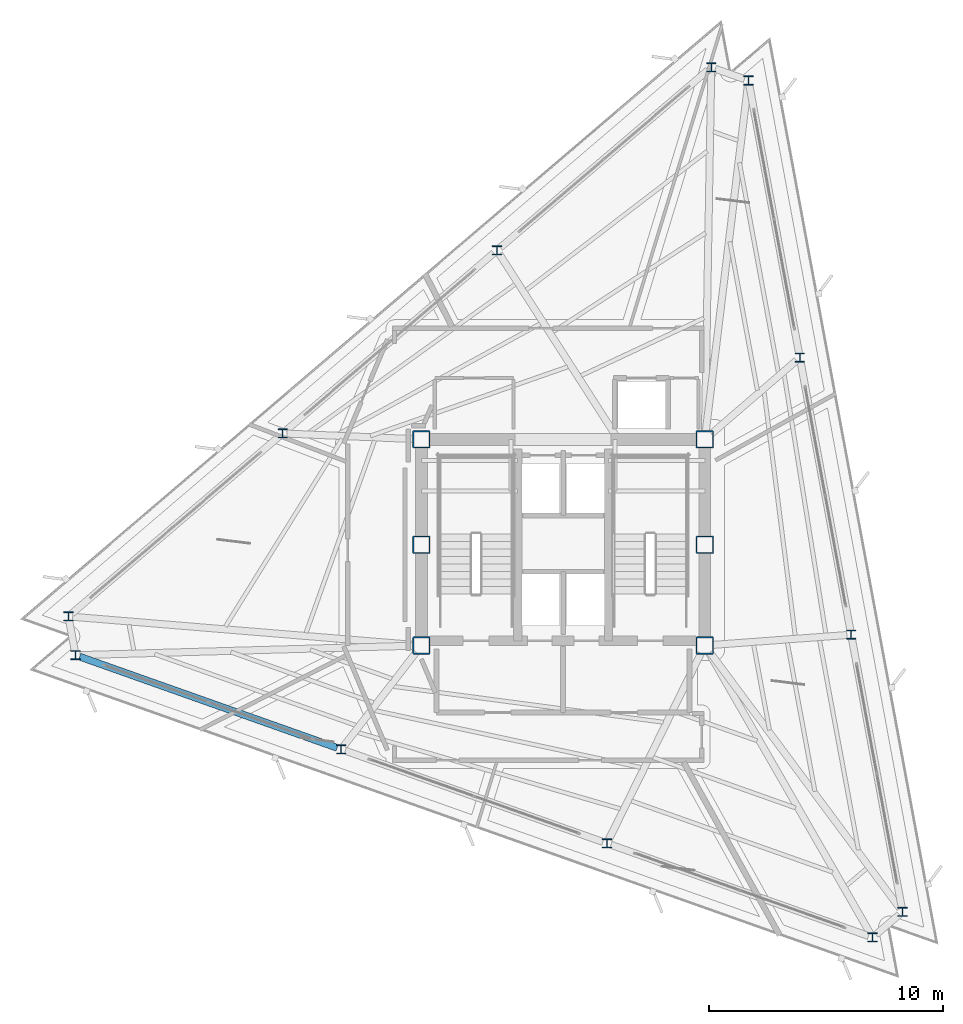
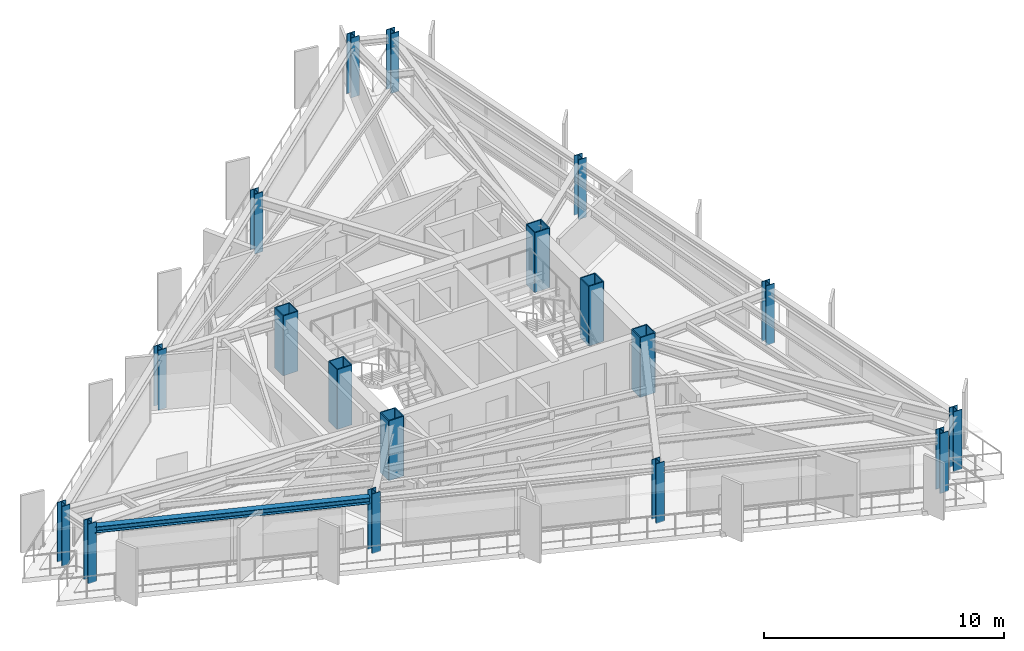
# One storey, part 1 of 14: 18 columns, 1 beam.
"""IFC4 building model written with IfcOpenShell, lengths in metres."""

from ifc_helpers import new_model, si_unit, direction, frame, origin, origin_2d, place, context, subcontext, project, spatial, hollow_rectangle, i_section, extrude, material, material_profile, profile_set, type_object, element, save


model = new_model("IFC4")

# Units and contexts
model_context = context("Model", 3, precision=1e-05, world=origin(), true_north=direction((0.0, 1.0)))
body_context = subcontext(model_context, "Body", "Model", "MODEL_VIEW")
ifc_project = project(units=[si_unit("LENGTHUNIT", "METRE"), si_unit("AREAUNIT", "SQUARE_METRE"), si_unit("VOLUMEUNIT", "CUBIC_METRE"), si_unit("PLANEANGLEUNIT", "RADIAN"), si_unit("MASSUNIT", "GRAM", prefix="KILO")], contexts=[model_context])

# Site, building, storey
site_placement = place(None, origin())
site = spatial("IfcSite", under=ifc_project, at=site_placement, CompositionType="ELEMENT")
building_placement = place(site_placement, origin())
building = spatial("IfcBuilding", under=site, at=building_placement, Name="Rocaltana Carrier Exchange", CompositionType="ELEMENT")
storey_placement = place(building_placement, frame((0.0, 0.0, 178.39990234375)))
storey = spatial("IfcBuildingStorey", under=building, at=storey_placement, Name="L56", CompositionType="ELEMENT", Elevation=178.39990234375)

# Columns
ifc_material_1 = material(Name="Steel S460", Category="steel")
ifc_material_profile_1 = material_profile(ifc_material_1, hollow_rectangle(XDim=0.75, YDim=0.75, WallThickness=0.050048828125, InnerFilletRadius=0.02001953125, OuterFilletRadius=0.0400390625, at=origin_2d()), Name="BOX750X750X50")
ifc_profile_set_1 = profile_set([ifc_material_profile_1], Name="Steel S460")
column_type_1 = type_object("IfcColumnType", Name="Core Mega-Column BOX750", PredefinedType="COLUMN", material=ifc_profile_set_1)
for number, where, z_axis, x_axis, name in (
    (1, (-6.050048828125, 4.5, 0.0), (0.0, 0.0, 1.0), (1.0, 0.0, 0.0), "L56 Core Mega-Column MC1"),
    (2, (6.050048828125, 4.5, 0.0), (0.0, 0.0, 1.0), (1.0, 0.0, 0.0), "L56 Core Mega-Column MC2"),
    (3, (-6.050048828125, 0.0, 0.0), (0.0, 0.0, 1.0), (1.0, 0.0, 0.0), "L56 Core Mega-Column MC3"),
    (4, (6.050048828125, 0.0, 0.0), (0.0, 0.0, 1.0), (1.0, 0.0, 0.0), "L56 Core Mega-Column MC4"),
    (5, (-6.050048828125, -4.300048828125, 0.0), (0.0, 0.0, 1.0), (1.0, 0.0, 0.0), "L56 Core Mega-Column MC5"),
    (6, (6.050048828125, -4.300048828125, 0.0), (0.0, 0.0, 1.0), (1.0, 0.0, 0.0), "L56 Core Mega-Column MC6"),
):
    element("IfcColumn", number, at=place(storey_placement, frame(where, z_axis=z_axis, x_axis=x_axis)), inside=storey, type_object=column_type_1, Name=name, PredefinedType="COLUMN", context=body_context, shape_type="SweptSolid", body=[
        extrude(hollow_rectangle(XDim=0.75, YDim=0.75, WallThickness=0.050048828125, InnerFilletRadius=0.02001953125, OuterFilletRadius=0.0400390625, at=origin_2d()), origin(), (0.0, 0.0, 1.0), 3.0400390625),
    ])
ifc_material_2 = material(Name="Steel S355", Category="steel")
ifc_material_profile_2 = material_profile(ifc_material_2, i_section(OverallWidth=0.39794921875, OverallDepth=0.386962890625, WebThickness=0.02099609375, FlangeThickness=0.033203125, FilletRadius=0.01806640625, at=origin_2d()), Name="W14X176")
ifc_profile_set_2 = profile_set([ifc_material_profile_2], Name="Steel S355")
column_type_2 = type_object("IfcColumnType", Name="Perimeter Column W14X176", PredefinedType="COLUMN", material=ifc_profile_set_2)
for number, where, z_axis, x_axis, name in (
    (7, (14.492431640625, -15.67138671875, 0.0), (0.0, 0.0, 1.0), (1.0, 0.0, 0.0), "L56 Perimeter Column TC01"),
    (8, (12.299560546875, -3.839599609375, 0.0), (0.0, 0.0, 1.0), (1.0, 0.0, 0.0), "L56 Perimeter Column TC02"),
    (9, (10.106689453125, 7.9921875, 0.0), (0.0, 0.0, 1.0), (1.0, 0.0, 0.0), "L56 Perimeter Column TC03"),
    (10, (7.913818359375, 19.82421875, 0.0), (0.0, 0.0, 1.0), (1.0, 0.0, 0.0), "L56 Perimeter Column TC04"),
    (11, (6.325439453125, 20.38671875, 0.0), (0.0, 0.0, 1.0), (1.0, 0.0, 0.0), "L56 Perimeter Column TC05"),
    (12, (-2.82470703125, 12.571533203125, 0.0), (0.0, 0.0, 1.0), (1.0, 0.0, 0.0), "L56 Perimeter Column TC06"),
    (13, (-11.974853515625, 4.756591796875, 0.0), (0.0, 0.0, 1.0), (1.0, 0.0, 0.0), "L56 Perimeter Column TC07"),
    (14, (-21.125, -3.05859375, 0.0), (0.0, 0.0, 1.0), (1.0, 0.0, 0.0), "L56 Perimeter Column TC08"),
    (15, (-20.818115234375, -4.715087890625, 0.0), (0.0, 0.0, 1.0), (1.0, 0.0, 0.0), "L56 Perimeter Column TC09"),
    (16, (-9.474853515625, -8.73193359375, 0.0), (0.0, 0.0, 1.0), (1.0, 0.0, 0.0), "L56 Perimeter Column TC10"),
    (17, (1.8681640625, -12.748779296875, 0.0), (0.0, 0.0, 1.0), (1.0, 0.0, 0.0), "L56 Perimeter Column TC11"),
    (18, (13.211181640625, -16.765625, 0.0), (0.0, 0.0, 1.0), (1.0, 0.0, 0.0), "L56 Perimeter Column TC12"),
):
    element("IfcColumn", number, at=place(storey_placement, frame(where, z_axis=z_axis, x_axis=x_axis)), inside=storey, type_object=column_type_2, Name=name, PredefinedType="COLUMN", context=body_context, shape_type="SweptSolid", body=[
        extrude(i_section(OverallWidth=0.39794921875, OverallDepth=0.386962890625, WebThickness=0.02099609375, FlangeThickness=0.033203125, FilletRadius=0.01806640625, at=origin_2d()), origin(), (0.0, 0.0, 1.0), 3.0400390625),
    ])

# Beam
ifc_material_3 = material(Name="Steel S355", Category="steel")
ifc_material_profile_3 = material_profile(ifc_material_3, i_section(OverallWidth=0.300048828125, OverallDepth=0.320068359375, WebThickness=0.011474609375, FlangeThickness=0.0205078125, FilletRadius=0.027099609375, at=origin_2d()), Name="HEB320")
ifc_profile_set_3 = profile_set([ifc_material_profile_3], Name="Steel S355")
beam_type = type_object("IfcBeamType", Name="Spandrel Edge Beam HEB320", PredefinedType="SPANDREL", material=ifc_profile_set_3)
beam_placement = place(storey_placement, frame((-20.643310546875, -4.777099609375, 2.63818359375), z_axis=(0.942638890489, -0.333814203019, 0.0), x_axis=(0.333814203019, 0.942638890489, 0.0)))
element("IfcBeam", 19, at=beam_placement, inside=storey, type_object=beam_type, Name="SP-L56-09", PredefinedType="SPANDREL", context=body_context, shape_type="SweptSolid", body=[
    extrude(i_section(OverallWidth=0.300048828125, OverallDepth=0.320068359375, WebThickness=0.011474609375, FlangeThickness=0.0205078125, FilletRadius=0.027099609375, at=origin_2d()), origin(), (0.0, 0.0, 1.0), 11.662353515625),
])

save(model, "model.ifc")
